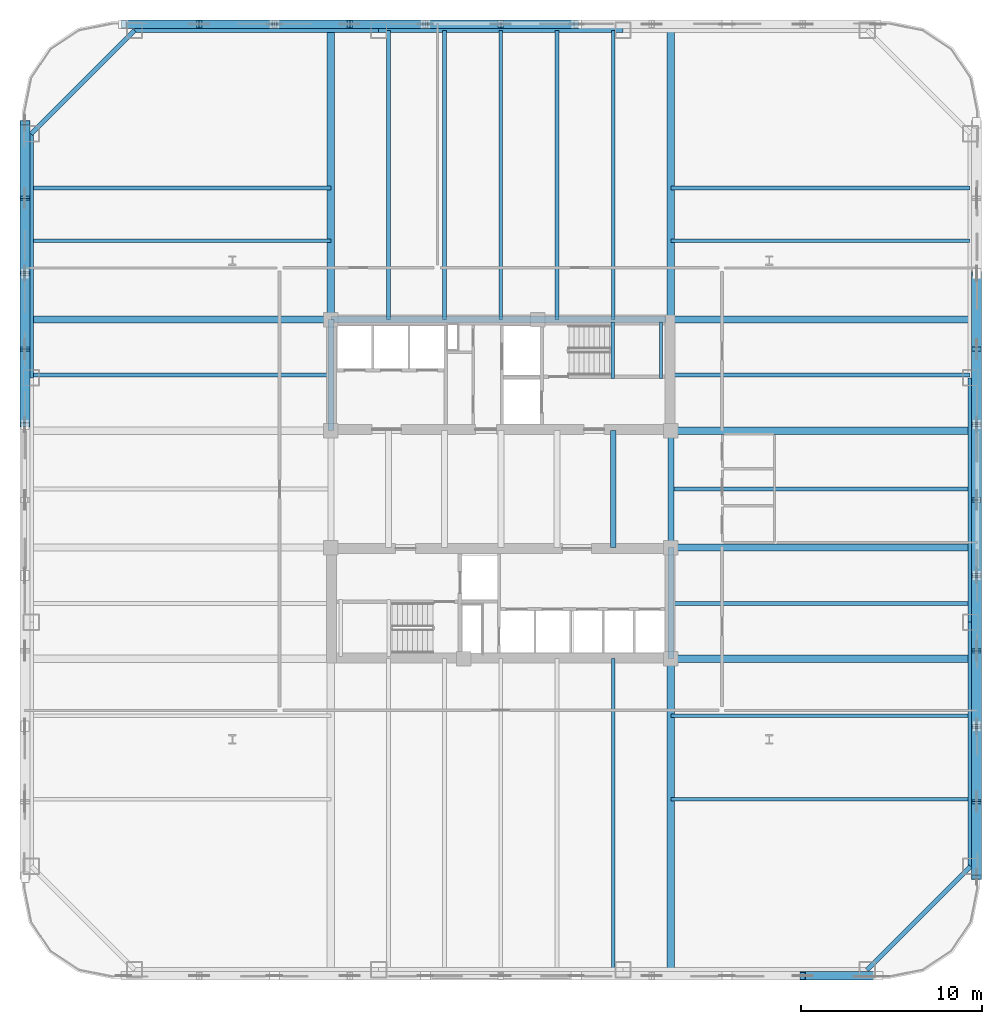
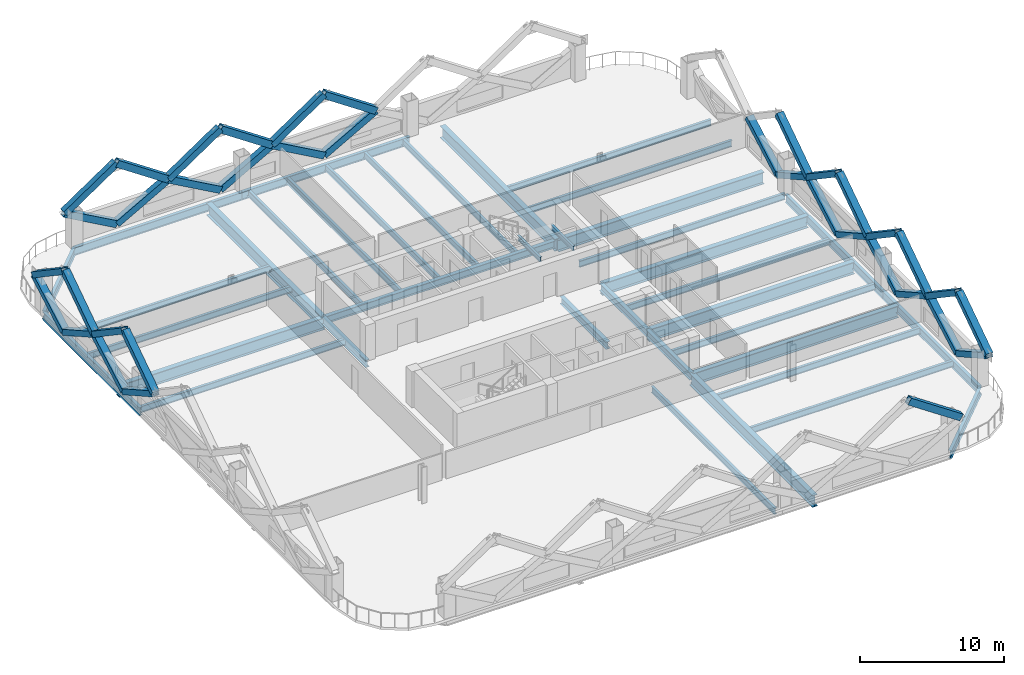
# One storey, part 2 of 13: 38 beams, 36 members.
"""IFC4 building model written with IfcOpenShell, lengths in metres."""

from ifc_helpers import new_model, si_unit, direction, frame, origin, origin_2d, place, context, subcontext, project, spatial, hollow_rectangle, i_section, extrude, material, material_profile, profile_set, type_object, element, save


model = new_model("IFC4")

# Units and contexts
model_context = context("Model", 3, precision=1e-05, world=origin(), true_north=direction((0.0, 1.0)))
body_context = subcontext(model_context, "Body", "Model", "MODEL_VIEW")
ifc_project = project(units=[si_unit("LENGTHUNIT", "METRE"), si_unit("AREAUNIT", "SQUARE_METRE"), si_unit("VOLUMEUNIT", "CUBIC_METRE"), si_unit("PLANEANGLEUNIT", "RADIAN"), si_unit("MASSUNIT", "GRAM", prefix="KILO")], contexts=[model_context])

# Site, building, storey
site_placement = place(None, origin())
site = spatial("IfcSite", under=ifc_project, at=site_placement, CompositionType="ELEMENT")
building_placement = place(site_placement, origin())
building = spatial("IfcBuilding", under=site, at=building_placement, Name="Qhalaya Broadcast Tower", CompositionType="ELEMENT")
storey_placement = place(building_placement, frame((0.0, 0.0, 32.199951171875)))
storey = spatial("IfcBuildingStorey", under=building, at=storey_placement, Name="L08", CompositionType="ELEMENT", Elevation=32.199951171875)

# Beams
ifc_material_1 = material(Name="Structural Steel ASTM A992 Grade 50", Category="steel")
ifc_material_profile_1 = material_profile(ifc_material_1, i_section(OverallWidth=0.2099609375, OverallDepth=0.535888671875, WebThickness=0.010986328125, FlangeThickness=0.017333984375, at=origin_2d()), Name="W21X68")
ifc_profile_set_1 = profile_set([ifc_material_profile_1], Name="Structural Steel ASTM A992 Grade 50")
beam_type_1 = type_object("IfcBeamType", Name="Composite Floor Joist J02", PredefinedType="JOIST", material=ifc_profile_set_1)
for number, where, z_axis, x_axis, name in (
    (1, (-6.199951171875, 9.949951171875, -0.488037109375), (0.0, 1.0, 0.0), (-1.0, 0.0, 0.0), "L08 J02 L08-JNN1-1"),
    (2, (-3.10009765625, 9.949951171875, -0.488037109375), (0.0, 1.0, 0.0), (-1.0, 0.0, 0.0), "L08 J02 L08-JNN2-1"),
    (3, (0.0, 9.949951171875, -0.488037109375), (0.0, 1.0, 0.0), (-1.0, 0.0, 0.0), "L08 J02 L08-JNN3-1"),
    (4, (3.10009765625, 9.949951171875, -0.488037109375), (0.0, 1.0, 0.0), (-1.0, 0.0, 0.0), "L08 J02 L08-JNN4-1"),
):
    element("IfcBeam", number, at=place(storey_placement, frame(where, z_axis=z_axis, x_axis=x_axis)), inside=storey, type_object=beam_type_1, Name=name, PredefinedType="JOIST", context=body_context, shape_type="SweptSolid", body=[
        extrude(i_section(OverallWidth=0.2099609375, OverallDepth=0.535888671875, WebThickness=0.010986328125, FlangeThickness=0.017333984375, at=origin_2d()), origin(), (0.0, 0.0, 1.0), 15.929931640625),
    ])
beam_1_placement = place(storey_placement, frame((6.199951171875, -25.8798828125, -0.488037109375), z_axis=(0.0, 1.0, 0.0), x_axis=(-1.0, 0.0, 0.0)))
element("IfcBeam", 5, at=beam_1_placement, inside=storey, type_object=beam_type_1, Name="L08 J02 L08-JNS5-1", PredefinedType="JOIST", context=body_context, shape_type="SweptSolid", body=[
    extrude(i_section(OverallWidth=0.2099609375, OverallDepth=0.535888671875, WebThickness=0.010986328125, FlangeThickness=0.017333984375, at=origin_2d()), origin(), (0.0, 0.0, 1.0), 17.1298828125),
])
beam_2_placement = place(storey_placement, frame((6.199951171875, 9.949951171875, -0.488037109375), z_axis=(0.0, 1.0, 0.0), x_axis=(-1.0, 0.0, 0.0)))
element("IfcBeam", 6, at=beam_2_placement, inside=storey, type_object=beam_type_1, Name="L08 J02 L08-JNN5-1", PredefinedType="JOIST", context=body_context, shape_type="SweptSolid", body=[
    extrude(i_section(OverallWidth=0.2099609375, OverallDepth=0.535888671875, WebThickness=0.010986328125, FlangeThickness=0.017333984375, at=origin_2d()), origin(), (0.0, 0.0, 1.0), 15.929931640625),
])
for number, where, z_axis, x_axis, name in (
    (7, (9.375, -16.5, -0.488037109375), (1.0, 0.0, 0.0), (0.0, 1.0, 0.0), "L08 J02 L08-JWE1E-1"),
    (8, (9.375, -11.89990234375, -0.488037109375), (1.0, 0.0, 0.0), (0.0, 1.0, 0.0), "L08 J02 L08-JWE2E-1"),
    (9, (9.375, -5.699951171875, -0.488037109375), (1.0, 0.0, 0.0), (0.0, 1.0, 0.0), "L08 J02 L08-JWE3E-1"),
    (10, (9.375, 0.60009765625, -0.488037109375), (1.0, 0.0, 0.0), (0.0, 1.0, 0.0), "L08 J02 L08-JWE4E-1"),
    (11, (-25.8798828125, 6.89990234375, -0.488037109375), (1.0, 0.0, 0.0), (0.0, 1.0, 0.0), "L08 J02 L08-JWE5W-1"),
    (12, (9.375, 6.89990234375, -0.488037109375), (1.0, 0.0, 0.0), (0.0, 1.0, 0.0), "L08 J02 L08-JWE5E-1"),
    (13, (-25.8798828125, 14.300048828125, -0.488037109375), (1.0, 0.0, 0.0), (0.0, 1.0, 0.0), "L08 J02 L08-JWE6W-1"),
    (14, (9.375, 14.300048828125, -0.488037109375), (1.0, 0.0, 0.0), (0.0, 1.0, 0.0), "L08 J02 L08-JWE6E-1"),
    (15, (-25.8798828125, 17.199951171875, -0.488037109375), (1.0, 0.0, 0.0), (0.0, 1.0, 0.0), "L08 J02 L08-JWE7W-1"),
    (16, (9.375, 17.199951171875, -0.488037109375), (1.0, 0.0, 0.0), (0.0, 1.0, 0.0), "L08 J02 L08-JWE7E-1"),
):
    element("IfcBeam", number, at=place(storey_placement, frame(where, z_axis=z_axis, x_axis=x_axis)), inside=storey, type_object=beam_type_1, Name=name, PredefinedType="JOIST", context=body_context, shape_type="SweptSolid", body=[
        extrude(i_section(OverallWidth=0.2099609375, OverallDepth=0.535888671875, WebThickness=0.010986328125, FlangeThickness=0.017333984375, at=origin_2d()), origin(), (0.0, 0.0, 1.0), 16.5048828125),
    ])
ifc_material_profile_2 = material_profile(ifc_material_1, i_section(OverallWidth=0.323974609375, OverallDepth=0.612060546875, WebThickness=0.0126953125, FlangeThickness=0.01904296875, at=origin_2d()), Name="W24X104")
ifc_profile_set_2 = profile_set([ifc_material_profile_2], Name="Structural Steel ASTM A992 Grade 50")
beam_type_2 = type_object("IfcBeamType", Name="Core Frame Tie Beam B04", PredefinedType="BEAM", material=ifc_profile_set_2)
beam_3_placement = place(storey_placement, frame((-9.375, 3.824951171875, -0.52587890625), z_axis=(0.0, 1.0, 0.0), x_axis=(-1.0, 0.0, 0.0)))
element("IfcBeam", 17, at=beam_3_placement, inside=storey, type_object=beam_type_2, Name="L08 B04 L08-CCN2", PredefinedType="BEAM", context=body_context, shape_type="SweptSolid", body=[
    extrude(i_section(OverallWidth=0.323974609375, OverallDepth=0.612060546875, WebThickness=0.0126953125, FlangeThickness=0.01904296875, at=origin_2d()), origin(), (0.0, 0.0, 1.0), 6.125),
])
beam_4_placement = place(storey_placement, frame((-9.375, 9.949951171875, -0.52587890625), z_axis=(1.0, 0.0, 0.0), x_axis=(0.0, 1.0, 0.0)))
element("IfcBeam", 18, at=beam_4_placement, inside=storey, type_object=beam_type_2, Name="L08 B04 L08-CCN3", PredefinedType="BEAM", context=body_context, shape_type="SweptSolid", body=[
    extrude(i_section(OverallWidth=0.323974609375, OverallDepth=0.612060546875, WebThickness=0.0126953125, FlangeThickness=0.01904296875, at=origin_2d()), origin(), (0.0, 0.0, 1.0), 18.4951171875),
])
beam_5_placement = place(storey_placement, frame((9.375, -8.75, -0.52587890625), z_axis=(0.0, 1.0, 0.0), x_axis=(-1.0, 0.0, 0.0)))
element("IfcBeam", 19, at=beam_5_placement, inside=storey, type_object=beam_type_2, Name="L08 B04 L08-CCS2", PredefinedType="BEAM", context=body_context, shape_type="SweptSolid", body=[
    extrude(i_section(OverallWidth=0.323974609375, OverallDepth=0.612060546875, WebThickness=0.0126953125, FlangeThickness=0.01904296875, at=origin_2d()), origin(), (0.0, 0.0, 1.0), 6.125),
])
for number, where, z_axis, x_axis, name in (
    (20, (9.375, -2.625, -0.52587890625), (0.0, 1.0, 0.0), (-1.0, 0.0, 0.0), "L08 B04 L08-CCE"),
    (21, (6.199951171875, -2.625, -0.52587890625), (0.0, 1.0, 0.0), (-1.0, 0.0, 0.0), "L08 B04 L08-JC5-1"),
):
    element("IfcBeam", number, at=place(storey_placement, frame(where, z_axis=z_axis, x_axis=x_axis)), inside=storey, type_object=beam_type_2, Name=name, PredefinedType="BEAM", context=body_context, shape_type="SweptSolid", body=[
        extrude(i_section(OverallWidth=0.323974609375, OverallDepth=0.612060546875, WebThickness=0.0126953125, FlangeThickness=0.01904296875, at=origin_2d()), origin(), (0.0, 0.0, 1.0), 6.449951171875),
    ])

# Members
ifc_material_2 = material(Name="Structural Steel ASTM A572 Grade 50", Category="steel")
ifc_material_profile_3 = material_profile(ifc_material_2, hollow_rectangle(XDim=0.449951171875, YDim=0.550048828125, WallThickness=0.031982421875, at=origin_2d()), Name="BOX 450x550x32")
ifc_profile_set_3 = profile_set([ifc_material_profile_3], Name="Structural Steel ASTM A572 Grade 50")
member_type = type_object("IfcMemberType", Name="Exoskeleton Diamond Diagonal Lower EX1", PredefinedType="BRACE", material=ifc_profile_set_3)
member_1_placement = place(storey_placement, frame((20.800048828125, -26.239990234375, 2.68994140625), z_axis=(-0.828668223168, 0.0, 0.559740096752), x_axis=(0.0, -1.0, 0.0)))
element("IfcMember", 22, at=member_1_placement, inside=storey, type_object=member_type, Name="B1 Exoskeleton Diamond Brace S5-D4", PredefinedType="BRACE", context=body_context, shape_type="SweptSolid", body=[
    extrude(hollow_rectangle(XDim=0.449951171875, YDim=0.550048828125, WallThickness=0.031982421875, at=origin_2d()), origin(), (0.0, 0.0, 1.0), 5.020263671875),
])
member_2_placement = place(storey_placement, frame((26.239990234375, -16.639892578125, 0.360107421875), z_axis=(0.0, -0.872492918738, 0.488626756075), x_axis=(0.0, 0.488626756075, 0.872492918738)))
element("IfcMember", 23, at=member_2_placement, inside=storey, type_object=member_type, Name="B1 Exoskeleton Diamond Brace E1-D1", PredefinedType="BRACE", context=body_context, shape_type="SweptSolid", body=[
    extrude(hollow_rectangle(XDim=0.449951171875, YDim=0.550048828125, WallThickness=0.031982421875, at=origin_2d()), origin(), (0.0, 0.0, 1.0), 4.76806640625),
])
member_3_placement = place(storey_placement, frame((26.239990234375, -16.639892578125, 0.360107421875), z_axis=(0.0, 0.872480692977, 0.488648585778), x_axis=(0.0, -0.488648585778, 0.872480692977)))
element("IfcMember", 24, at=member_3_placement, inside=storey, type_object=member_type, Name="B1 Exoskeleton Diamond Brace E1-D2", PredefinedType="BRACE", context=body_context, shape_type="SweptSolid", body=[
    extrude(hollow_rectangle(XDim=0.449951171875, YDim=0.550048828125, WallThickness=0.031982421875, at=origin_2d()), origin(), (0.0, 0.0, 1.0), 4.767822265625),
])
member_4_placement = place(storey_placement, frame((26.239990234375, -20.800048828125, 2.68994140625), z_axis=(0.0, 0.828668223168, 0.559740096752), x_axis=(0.0, -0.559740096752, 0.828668223168)))
element("IfcMember", 25, at=member_4_placement, inside=storey, type_object=member_type, Name="B1 Exoskeleton Diamond Brace E1-D3", PredefinedType="BRACE", context=body_context, shape_type="SweptSolid", body=[
    extrude(hollow_rectangle(XDim=0.449951171875, YDim=0.550048828125, WallThickness=0.031982421875, at=origin_2d()), origin(), (0.0, 0.0, 1.0), 5.020263671875),
])
member_5_placement = place(storey_placement, frame((26.239990234375, -12.47998046875, 2.68994140625), z_axis=(0.0, -0.828652985792, 0.559762654291), x_axis=(0.0, 0.559762654291, 0.828652985792)))
element("IfcMember", 26, at=member_5_placement, inside=storey, type_object=member_type, Name="B1 Exoskeleton Diamond Brace E1-D4", PredefinedType="BRACE", context=body_context, shape_type="SweptSolid", body=[
    extrude(hollow_rectangle(XDim=0.449951171875, YDim=0.550048828125, WallThickness=0.031982421875, at=origin_2d()), origin(), (0.0, 0.0, 1.0), 5.02001953125),
])
member_6_placement = place(storey_placement, frame((26.239990234375, -8.320068359375, 0.360107421875), z_axis=(0.0, -0.872480692977, 0.488648585778), x_axis=(0.0, 0.488648585778, 0.872480692977)))
element("IfcMember", 27, at=member_6_placement, inside=storey, type_object=member_type, Name="B1 Exoskeleton Diamond Brace E2-D1", PredefinedType="BRACE", context=body_context, shape_type="SweptSolid", body=[
    extrude(hollow_rectangle(XDim=0.449951171875, YDim=0.550048828125, WallThickness=0.031982421875, at=origin_2d()), origin(), (0.0, 0.0, 1.0), 4.767822265625),
])
member_7_placement = place(storey_placement, frame((26.239990234375, -8.320068359375, 0.360107421875), z_axis=(0.0, 0.872492918738, 0.488626756075), x_axis=(0.0, -0.488626756075, 0.872492918738)))
element("IfcMember", 28, at=member_7_placement, inside=storey, type_object=member_type, Name="B1 Exoskeleton Diamond Brace E2-D2", PredefinedType="BRACE", context=body_context, shape_type="SweptSolid", body=[
    extrude(hollow_rectangle(XDim=0.449951171875, YDim=0.550048828125, WallThickness=0.031982421875, at=origin_2d()), origin(), (0.0, 0.0, 1.0), 4.76806640625),
])
member_8_placement = place(storey_placement, frame((26.239990234375, -12.47998046875, 2.68994140625), z_axis=(0.0, 0.828652985792, 0.559762654291), x_axis=(0.0, -0.559762654291, 0.828652985792)))
element("IfcMember", 29, at=member_8_placement, inside=storey, type_object=member_type, Name="B1 Exoskeleton Diamond Brace E2-D3", PredefinedType="BRACE", context=body_context, shape_type="SweptSolid", body=[
    extrude(hollow_rectangle(XDim=0.449951171875, YDim=0.550048828125, WallThickness=0.031982421875, at=origin_2d()), origin(), (0.0, 0.0, 1.0), 5.02001953125),
])
member_9_placement = place(storey_placement, frame((26.239990234375, -4.159912109375, 2.68994140625), z_axis=(0.0, -0.828668223168, 0.559740096752), x_axis=(0.0, 0.559740096752, 0.828668223168)))
element("IfcMember", 30, at=member_9_placement, inside=storey, type_object=member_type, Name="B1 Exoskeleton Diamond Brace E2-D4", PredefinedType="BRACE", context=body_context, shape_type="SweptSolid", body=[
    extrude(hollow_rectangle(XDim=0.449951171875, YDim=0.550048828125, WallThickness=0.031982421875, at=origin_2d()), origin(), (0.0, 0.0, 1.0), 5.020263671875),
])
for number, where, z_axis, x_axis, name in (
    (31, (26.239990234375, 0.0, 0.360107421875), (0.0, -0.872480692977, 0.488648585778), (0.0, 0.488648585778, 0.872480692977), "B1 Exoskeleton Diamond Brace E3-D1"),
    (32, (26.239990234375, 0.0, 0.360107421875), (0.0, 0.872480692977, 0.488648585778), (0.0, -0.488648585778, 0.872480692977), "B1 Exoskeleton Diamond Brace E3-D2"),
):
    element("IfcMember", number, at=place(storey_placement, frame(where, z_axis=z_axis, x_axis=x_axis)), inside=storey, type_object=member_type, Name=name, PredefinedType="BRACE", context=body_context, shape_type="SweptSolid", body=[
        extrude(hollow_rectangle(XDim=0.449951171875, YDim=0.550048828125, WallThickness=0.031982421875, at=origin_2d()), origin(), (0.0, 0.0, 1.0), 4.767822265625),
    ])
for number, where, z_axis, x_axis, name in (
    (33, (26.239990234375, -4.159912109375, 2.68994140625), (0.0, 0.828652985792, 0.559762654291), (0.0, -0.559762654291, 0.828652985792), "B1 Exoskeleton Diamond Brace E3-D3"),
    (34, (26.239990234375, 4.159912109375, 2.68994140625), (0.0, -0.828652985792, 0.559762654291), (0.0, 0.559762654291, 0.828652985792), "B1 Exoskeleton Diamond Brace E3-D4"),
):
    element("IfcMember", number, at=place(storey_placement, frame(where, z_axis=z_axis, x_axis=x_axis)), inside=storey, type_object=member_type, Name=name, PredefinedType="BRACE", context=body_context, shape_type="SweptSolid", body=[
        extrude(hollow_rectangle(XDim=0.449951171875, YDim=0.550048828125, WallThickness=0.031982421875, at=origin_2d()), origin(), (0.0, 0.0, 1.0), 5.02001953125),
    ])
member_10_placement = place(storey_placement, frame((26.239990234375, 8.320068359375, 0.360107421875), z_axis=(0.0, -0.872492918738, 0.488626756075), x_axis=(0.0, 0.488626756075, 0.872492918738)))
element("IfcMember", 35, at=member_10_placement, inside=storey, type_object=member_type, Name="B1 Exoskeleton Diamond Brace E4-D1", PredefinedType="BRACE", context=body_context, shape_type="SweptSolid", body=[
    extrude(hollow_rectangle(XDim=0.449951171875, YDim=0.550048828125, WallThickness=0.031982421875, at=origin_2d()), origin(), (0.0, 0.0, 1.0), 4.76806640625),
])
member_11_placement = place(storey_placement, frame((26.239990234375, 8.320068359375, 0.360107421875), z_axis=(0.0, 0.872480692977, 0.488648585778), x_axis=(0.0, -0.488648585778, 0.872480692977)))
element("IfcMember", 36, at=member_11_placement, inside=storey, type_object=member_type, Name="B1 Exoskeleton Diamond Brace E4-D2", PredefinedType="BRACE", context=body_context, shape_type="SweptSolid", body=[
    extrude(hollow_rectangle(XDim=0.449951171875, YDim=0.550048828125, WallThickness=0.031982421875, at=origin_2d()), origin(), (0.0, 0.0, 1.0), 4.767822265625),
])
member_12_placement = place(storey_placement, frame((26.239990234375, 4.159912109375, 2.68994140625), z_axis=(0.0, 0.828668223168, 0.559740096752), x_axis=(0.0, -0.559740096752, 0.828668223168)))
element("IfcMember", 37, at=member_12_placement, inside=storey, type_object=member_type, Name="B1 Exoskeleton Diamond Brace E4-D3", PredefinedType="BRACE", context=body_context, shape_type="SweptSolid", body=[
    extrude(hollow_rectangle(XDim=0.449951171875, YDim=0.550048828125, WallThickness=0.031982421875, at=origin_2d()), origin(), (0.0, 0.0, 1.0), 5.020263671875),
])
for number, where, z_axis, x_axis, name in (
    (38, (0.0, 26.239990234375, 0.360107421875), (0.872480692977, 0.0, 0.488648585778), (0.0, 1.0, 0.0), "B1 Exoskeleton Diamond Brace N3-D1"),
    (39, (0.0, 26.239990234375, 0.360107421875), (-0.872480692977, 0.0, 0.488648585778), (0.0, -1.0, 0.0), "B1 Exoskeleton Diamond Brace N3-D2"),
):
    element("IfcMember", number, at=place(storey_placement, frame(where, z_axis=z_axis, x_axis=x_axis)), inside=storey, type_object=member_type, Name=name, PredefinedType="BRACE", context=body_context, shape_type="SweptSolid", body=[
        extrude(hollow_rectangle(XDim=0.449951171875, YDim=0.550048828125, WallThickness=0.031982421875, at=origin_2d()), origin(), (0.0, 0.0, 1.0), 4.767822265625),
    ])
for number, where, z_axis, x_axis, name in (
    (40, (4.159912109375, 26.239990234375, 2.68994140625), (-0.828652985792, 0.0, 0.559762654291), (0.0, -1.0, 0.0), "B1 Exoskeleton Diamond Brace N3-D3"),
    (41, (-4.159912109375, 26.239990234375, 2.68994140625), (0.828652985792, 0.0, 0.559762654291), (0.0, 1.0, 0.0), "B1 Exoskeleton Diamond Brace N3-D4"),
):
    element("IfcMember", number, at=place(storey_placement, frame(where, z_axis=z_axis, x_axis=x_axis)), inside=storey, type_object=member_type, Name=name, PredefinedType="BRACE", context=body_context, shape_type="SweptSolid", body=[
        extrude(hollow_rectangle(XDim=0.449951171875, YDim=0.550048828125, WallThickness=0.031982421875, at=origin_2d()), origin(), (0.0, 0.0, 1.0), 5.02001953125),
    ])
member_13_placement = place(storey_placement, frame((-8.320068359375, 26.239990234375, 0.360107421875), z_axis=(0.872492918738, 0.0, 0.488626756075), x_axis=(0.0, 1.0, 0.0)))
element("IfcMember", 42, at=member_13_placement, inside=storey, type_object=member_type, Name="B1 Exoskeleton Diamond Brace N4-D1", PredefinedType="BRACE", context=body_context, shape_type="SweptSolid", body=[
    extrude(hollow_rectangle(XDim=0.449951171875, YDim=0.550048828125, WallThickness=0.031982421875, at=origin_2d()), origin(), (0.0, 0.0, 1.0), 4.76806640625),
])
member_14_placement = place(storey_placement, frame((-8.320068359375, 26.239990234375, 0.360107421875), z_axis=(-0.872480692977, 0.0, 0.488648585778), x_axis=(0.0, -1.0, 0.0)))
element("IfcMember", 43, at=member_14_placement, inside=storey, type_object=member_type, Name="B1 Exoskeleton Diamond Brace N4-D2", PredefinedType="BRACE", context=body_context, shape_type="SweptSolid", body=[
    extrude(hollow_rectangle(XDim=0.449951171875, YDim=0.550048828125, WallThickness=0.031982421875, at=origin_2d()), origin(), (0.0, 0.0, 1.0), 4.767822265625),
])
member_15_placement = place(storey_placement, frame((-4.159912109375, 26.239990234375, 2.68994140625), z_axis=(-0.828668223168, 0.0, 0.559740096752), x_axis=(0.0, -1.0, 0.0)))
element("IfcMember", 44, at=member_15_placement, inside=storey, type_object=member_type, Name="B1 Exoskeleton Diamond Brace N4-D3", PredefinedType="BRACE", context=body_context, shape_type="SweptSolid", body=[
    extrude(hollow_rectangle(XDim=0.449951171875, YDim=0.550048828125, WallThickness=0.031982421875, at=origin_2d()), origin(), (0.0, 0.0, 1.0), 5.020263671875),
])
member_16_placement = place(storey_placement, frame((-12.47998046875, 26.239990234375, 2.68994140625), z_axis=(0.828652985792, 0.0, 0.559762654291), x_axis=(0.0, 1.0, 0.0)))
element("IfcMember", 45, at=member_16_placement, inside=storey, type_object=member_type, Name="B1 Exoskeleton Diamond Brace N4-D4", PredefinedType="BRACE", context=body_context, shape_type="SweptSolid", body=[
    extrude(hollow_rectangle(XDim=0.449951171875, YDim=0.550048828125, WallThickness=0.031982421875, at=origin_2d()), origin(), (0.0, 0.0, 1.0), 5.02001953125),
])
member_17_placement = place(storey_placement, frame((-16.639892578125, 26.239990234375, 0.360107421875), z_axis=(0.872480692977, 0.0, 0.488648585778), x_axis=(0.0, 1.0, 0.0)))
element("IfcMember", 46, at=member_17_placement, inside=storey, type_object=member_type, Name="B1 Exoskeleton Diamond Brace N5-D1", PredefinedType="BRACE", context=body_context, shape_type="SweptSolid", body=[
    extrude(hollow_rectangle(XDim=0.449951171875, YDim=0.550048828125, WallThickness=0.031982421875, at=origin_2d()), origin(), (0.0, 0.0, 1.0), 4.767822265625),
])
member_18_placement = place(storey_placement, frame((-16.639892578125, 26.239990234375, 0.360107421875), z_axis=(-0.872492918738, 0.0, 0.488626756075), x_axis=(0.0, -1.0, 0.0)))
element("IfcMember", 47, at=member_18_placement, inside=storey, type_object=member_type, Name="B1 Exoskeleton Diamond Brace N5-D2", PredefinedType="BRACE", context=body_context, shape_type="SweptSolid", body=[
    extrude(hollow_rectangle(XDim=0.449951171875, YDim=0.550048828125, WallThickness=0.031982421875, at=origin_2d()), origin(), (0.0, 0.0, 1.0), 4.76806640625),
])
member_19_placement = place(storey_placement, frame((-12.47998046875, 26.239990234375, 2.68994140625), z_axis=(-0.828652985792, 0.0, 0.559762654291), x_axis=(0.0, -1.0, 0.0)))
element("IfcMember", 48, at=member_19_placement, inside=storey, type_object=member_type, Name="B1 Exoskeleton Diamond Brace N5-D3", PredefinedType="BRACE", context=body_context, shape_type="SweptSolid", body=[
    extrude(hollow_rectangle(XDim=0.449951171875, YDim=0.550048828125, WallThickness=0.031982421875, at=origin_2d()), origin(), (0.0, 0.0, 1.0), 5.02001953125),
])
member_20_placement = place(storey_placement, frame((-20.800048828125, 26.239990234375, 2.68994140625), z_axis=(0.828668223168, 0.0, 0.559740096752), x_axis=(0.0, 1.0, 0.0)))
element("IfcMember", 49, at=member_20_placement, inside=storey, type_object=member_type, Name="B1 Exoskeleton Diamond Brace N5-D4", PredefinedType="BRACE", context=body_context, shape_type="SweptSolid", body=[
    extrude(hollow_rectangle(XDim=0.449951171875, YDim=0.550048828125, WallThickness=0.031982421875, at=origin_2d()), origin(), (0.0, 0.0, 1.0), 5.020263671875),
])
member_21_placement = place(storey_placement, frame((-26.239990234375, 16.639892578125, 0.360107421875), z_axis=(0.0, 0.872492918738, 0.488626756075), x_axis=(0.0, -0.488626756075, 0.872492918738)))
element("IfcMember", 50, at=member_21_placement, inside=storey, type_object=member_type, Name="B1 Exoskeleton Diamond Brace W1-D1", PredefinedType="BRACE", context=body_context, shape_type="SweptSolid", body=[
    extrude(hollow_rectangle(XDim=0.449951171875, YDim=0.550048828125, WallThickness=0.031982421875, at=origin_2d()), origin(), (0.0, 0.0, 1.0), 4.76806640625),
])
member_22_placement = place(storey_placement, frame((-26.239990234375, 16.639892578125, 0.360107421875), z_axis=(0.0, -0.872480692977, 0.488648585778), x_axis=(0.0, 0.488648585778, 0.872480692977)))
element("IfcMember", 51, at=member_22_placement, inside=storey, type_object=member_type, Name="B1 Exoskeleton Diamond Brace W1-D2", PredefinedType="BRACE", context=body_context, shape_type="SweptSolid", body=[
    extrude(hollow_rectangle(XDim=0.449951171875, YDim=0.550048828125, WallThickness=0.031982421875, at=origin_2d()), origin(), (0.0, 0.0, 1.0), 4.767822265625),
])
member_23_placement = place(storey_placement, frame((-26.239990234375, 20.800048828125, 2.68994140625), z_axis=(0.0, -0.828668223168, 0.559740096752), x_axis=(0.0, 0.559740096752, 0.828668223168)))
element("IfcMember", 52, at=member_23_placement, inside=storey, type_object=member_type, Name="B1 Exoskeleton Diamond Brace W1-D3", PredefinedType="BRACE", context=body_context, shape_type="SweptSolid", body=[
    extrude(hollow_rectangle(XDim=0.449951171875, YDim=0.550048828125, WallThickness=0.031982421875, at=origin_2d()), origin(), (0.0, 0.0, 1.0), 5.020263671875),
])
member_24_placement = place(storey_placement, frame((-26.239990234375, 12.47998046875, 2.68994140625), z_axis=(0.0, 0.828652985792, 0.559762654291), x_axis=(0.0, -0.559762654291, 0.828652985792)))
element("IfcMember", 53, at=member_24_placement, inside=storey, type_object=member_type, Name="B1 Exoskeleton Diamond Brace W1-D4", PredefinedType="BRACE", context=body_context, shape_type="SweptSolid", body=[
    extrude(hollow_rectangle(XDim=0.449951171875, YDim=0.550048828125, WallThickness=0.031982421875, at=origin_2d()), origin(), (0.0, 0.0, 1.0), 5.02001953125),
])
member_25_placement = place(storey_placement, frame((-26.239990234375, 8.320068359375, 0.360107421875), z_axis=(0.0, 0.872480692977, 0.488648585778), x_axis=(0.0, -0.488648585778, 0.872480692977)))
element("IfcMember", 54, at=member_25_placement, inside=storey, type_object=member_type, Name="B1 Exoskeleton Diamond Brace W2-D1", PredefinedType="BRACE", context=body_context, shape_type="SweptSolid", body=[
    extrude(hollow_rectangle(XDim=0.449951171875, YDim=0.550048828125, WallThickness=0.031982421875, at=origin_2d()), origin(), (0.0, 0.0, 1.0), 4.767822265625),
])
member_26_placement = place(storey_placement, frame((-26.239990234375, 8.320068359375, 0.360107421875), z_axis=(0.0, -0.872492918738, 0.488626756075), x_axis=(0.0, 0.488626756075, 0.872492918738)))
element("IfcMember", 55, at=member_26_placement, inside=storey, type_object=member_type, Name="B1 Exoskeleton Diamond Brace W2-D2", PredefinedType="BRACE", context=body_context, shape_type="SweptSolid", body=[
    extrude(hollow_rectangle(XDim=0.449951171875, YDim=0.550048828125, WallThickness=0.031982421875, at=origin_2d()), origin(), (0.0, 0.0, 1.0), 4.76806640625),
])
member_27_placement = place(storey_placement, frame((-26.239990234375, 12.47998046875, 2.68994140625), z_axis=(0.0, -0.828652985792, 0.559762654291), x_axis=(0.0, 0.559762654291, 0.828652985792)))
element("IfcMember", 56, at=member_27_placement, inside=storey, type_object=member_type, Name="B1 Exoskeleton Diamond Brace W2-D3", PredefinedType="BRACE", context=body_context, shape_type="SweptSolid", body=[
    extrude(hollow_rectangle(XDim=0.449951171875, YDim=0.550048828125, WallThickness=0.031982421875, at=origin_2d()), origin(), (0.0, 0.0, 1.0), 5.02001953125),
])
member_28_placement = place(storey_placement, frame((-26.239990234375, 4.159912109375, 2.68994140625), z_axis=(0.0, 0.828668223168, 0.559740096752), x_axis=(0.0, -0.559740096752, 0.828668223168)))
element("IfcMember", 57, at=member_28_placement, inside=storey, type_object=member_type, Name="B1 Exoskeleton Diamond Brace W2-D4", PredefinedType="BRACE", context=body_context, shape_type="SweptSolid", body=[
    extrude(hollow_rectangle(XDim=0.449951171875, YDim=0.550048828125, WallThickness=0.031982421875, at=origin_2d()), origin(), (0.0, 0.0, 1.0), 5.020263671875),
])

# Beams
ifc_material_profile_4 = material_profile(ifc_material_1, i_section(OverallWidth=0.40087890625, OverallDepth=1.010986328125, WebThickness=0.023681640625, FlangeThickness=0.0419921875, at=origin_2d()), Name="W40X297")
ifc_profile_set_4 = profile_set([ifc_material_profile_4], Name="Structural Steel ASTM A992 Grade 50")
beam_type_3 = type_object("IfcBeamType", Name="Lower Block Primary Girder PG2", PredefinedType="USERDEFINED", material=ifc_profile_set_4)
beam_6_placement = place(storey_placement, frame((-9.375, 9.949951171875, -0.725341796875), z_axis=(0.0, 1.0, 0.0), x_axis=(-1.0, 0.0, 0.0)))
element("IfcBeam", 58, at=beam_6_placement, inside=storey, type_object=beam_type_3, Name="L08 PG2 L08-PGXN1-1", ObjectType="GIRDER", PredefinedType="USERDEFINED", context=body_context, shape_type="SweptSolid", body=[
    extrude(i_section(OverallWidth=0.40087890625, OverallDepth=1.010986328125, WebThickness=0.023681640625, FlangeThickness=0.0419921875, at=origin_2d()), origin(), (0.0, 0.0, 1.0), 15.929931640625),
])
beam_7_placement = place(storey_placement, frame((9.375, -25.8798828125, -0.725341796875), z_axis=(0.0, 1.0, 0.0), x_axis=(-1.0, 0.0, 0.0)))
element("IfcBeam", 59, at=beam_7_placement, inside=storey, type_object=beam_type_3, Name="L08 PG2 L08-PGXS2-1", ObjectType="GIRDER", PredefinedType="USERDEFINED", context=body_context, shape_type="SweptSolid", body=[
    extrude(i_section(OverallWidth=0.40087890625, OverallDepth=1.010986328125, WebThickness=0.023681640625, FlangeThickness=0.0419921875, at=origin_2d()), origin(), (0.0, 0.0, 1.0), 17.1298828125),
])
beam_8_placement = place(storey_placement, frame((9.375, 9.949951171875, -0.725341796875), z_axis=(0.0, 1.0, 0.0), x_axis=(-1.0, 0.0, 0.0)))
element("IfcBeam", 60, at=beam_8_placement, inside=storey, type_object=beam_type_3, Name="L08 PG2 L08-PGXN2-1", ObjectType="GIRDER", PredefinedType="USERDEFINED", context=body_context, shape_type="SweptSolid", body=[
    extrude(i_section(OverallWidth=0.40087890625, OverallDepth=1.010986328125, WebThickness=0.023681640625, FlangeThickness=0.0419921875, at=origin_2d()), origin(), (0.0, 0.0, 1.0), 15.929931640625),
])
for number, where, z_axis, x_axis, name in (
    (61, (9.375, -8.75, -0.725341796875), (1.0, 0.0, 0.0), (0.0, 1.0, 0.0), "L08 PG2 L08-PGYE1-1"),
    (62, (9.375, -2.625, -0.725341796875), (1.0, 0.0, 0.0), (0.0, 1.0, 0.0), "L08 PG2 L08-PGYE2-1"),
    (63, (9.375, 3.824951171875, -0.725341796875), (1.0, 0.0, 0.0), (0.0, 1.0, 0.0), "L08 PG2 L08-PGYE3-1"),
    (64, (-25.8798828125, 9.949951171875, -0.725341796875), (1.0, 0.0, 0.0), (0.0, 1.0, 0.0), "L08 PG2 L08-PGYW4-1"),
    (65, (9.375, 9.949951171875, -0.725341796875), (1.0, 0.0, 0.0), (0.0, 1.0, 0.0), "L08 PG2 L08-PGYE4-1"),
):
    element("IfcBeam", number, at=place(storey_placement, frame(where, z_axis=z_axis, x_axis=x_axis)), inside=storey, type_object=beam_type_3, Name=name, ObjectType="GIRDER", PredefinedType="USERDEFINED", context=body_context, shape_type="SweptSolid", body=[
        extrude(i_section(OverallWidth=0.40087890625, OverallDepth=1.010986328125, WebThickness=0.023681640625, FlangeThickness=0.0419921875, at=origin_2d()), origin(), (0.0, 0.0, 1.0), 16.5048828125),
    ])
ifc_material_profile_5 = material_profile(ifc_material_1, i_section(OverallWidth=0.25390625, OverallDepth=0.68310546875, WebThickness=0.012451171875, FlangeThickness=0.01904296875, at=origin_2d()), Name="W27X94")
ifc_profile_set_5 = profile_set([ifc_material_profile_5], Name="Structural Steel ASTM A992 Grade 50")
beam_type_4 = type_object("IfcBeamType", Name="Perimeter Ring Spandrel Beam SP1", PredefinedType="SPANDREL", material=ifc_profile_set_5)
beam_9_placement = place(storey_placement, frame((20.199951171875, -25.89990234375, -0.5615234375), z_axis=(0.707106781187, 0.707106781187, 0.0), x_axis=(-0.707106781187, 0.707106781187, 0.0)))
element("IfcBeam", 66, at=beam_9_placement, inside=storey, type_object=beam_type_4, Name="L08 SP1 L08-SPR-04", PredefinedType="SPANDREL", context=body_context, shape_type="SweptSolid", body=[
    extrude(i_section(OverallWidth=0.25390625, OverallDepth=0.68310546875, WebThickness=0.012451171875, FlangeThickness=0.01904296875, at=origin_2d()), origin(), (0.0, 0.0, 1.0), 8.06103515625),
])
beam_10_placement = place(storey_placement, frame((25.89990234375, -20.199951171875, -0.5615234375), z_axis=(0.0, 1.0, 0.0), x_axis=(-1.0, 0.0, 0.0)))
element("IfcBeam", 67, at=beam_10_placement, inside=storey, type_object=beam_type_4, Name="L08 SP1 L08-SPR-05", PredefinedType="SPANDREL", context=body_context, shape_type="SweptSolid", body=[
    extrude(i_section(OverallWidth=0.25390625, OverallDepth=0.68310546875, WebThickness=0.012451171875, FlangeThickness=0.01904296875, at=origin_2d()), origin(), (0.0, 0.0, 1.0), 13.466552734375),
])
for number, where, z_axis, x_axis, name in (
    (68, (25.89990234375, -6.7333984375, -0.5615234375), (0.0, 1.0, 0.0), (-1.0, 0.0, 0.0), "L08 SP1 L08-SPR-06"),
    (69, (6.7333984375, 25.89990234375, -0.5615234375), (-1.0, 0.0, 0.0), (0.0, -1.0, 0.0), "L08 SP1 L08-SPR-10"),
):
    element("IfcBeam", number, at=place(storey_placement, frame(where, z_axis=z_axis, x_axis=x_axis)), inside=storey, type_object=beam_type_4, Name=name, PredefinedType="SPANDREL", context=body_context, shape_type="SweptSolid", body=[
        extrude(i_section(OverallWidth=0.25390625, OverallDepth=0.68310546875, WebThickness=0.012451171875, FlangeThickness=0.01904296875, at=origin_2d()), origin(), (0.0, 0.0, 1.0), 13.466796875),
    ])
beam_11_placement = place(storey_placement, frame((-6.7333984375, 25.89990234375, -0.5615234375), z_axis=(-1.0, 0.0, 0.0), x_axis=(0.0, -1.0, 0.0)))
element("IfcBeam", 70, at=beam_11_placement, inside=storey, type_object=beam_type_4, Name="L08 SP1 L08-SPR-11", PredefinedType="SPANDREL", context=body_context, shape_type="SweptSolid", body=[
    extrude(i_section(OverallWidth=0.25390625, OverallDepth=0.68310546875, WebThickness=0.012451171875, FlangeThickness=0.01904296875, at=origin_2d()), origin(), (0.0, 0.0, 1.0), 13.466552734375),
])
beam_12_placement = place(storey_placement, frame((-20.199951171875, 25.89990234375, -0.5615234375), z_axis=(-0.707106781187, -0.707106781187, 0.0), x_axis=(0.707106781187, -0.707106781187, 0.0)))
element("IfcBeam", 71, at=beam_12_placement, inside=storey, type_object=beam_type_4, Name="L08 SP1 L08-SPR-12", PredefinedType="SPANDREL", context=body_context, shape_type="SweptSolid", body=[
    extrude(i_section(OverallWidth=0.25390625, OverallDepth=0.68310546875, WebThickness=0.012451171875, FlangeThickness=0.01904296875, at=origin_2d()), origin(), (0.0, 0.0, 1.0), 8.06103515625),
])
beam_13_placement = place(storey_placement, frame((-25.89990234375, 20.199951171875, -0.5615234375), z_axis=(0.0, -1.0, 0.0), x_axis=(1.0, 0.0, 0.0)))
element("IfcBeam", 72, at=beam_13_placement, inside=storey, type_object=beam_type_4, Name="L08 SP1 L08-SPR-13", PredefinedType="SPANDREL", context=body_context, shape_type="SweptSolid", body=[
    extrude(i_section(OverallWidth=0.25390625, OverallDepth=0.68310546875, WebThickness=0.012451171875, FlangeThickness=0.01904296875, at=origin_2d()), origin(), (0.0, 0.0, 1.0), 13.466552734375),
])
ifc_material_profile_6 = material_profile(ifc_material_1, i_section(OverallWidth=0.177978515625, OverallDepth=0.406005859375, WebThickness=0.0078125, FlangeThickness=0.0126953125, at=origin_2d()), Name="W16X40")
ifc_profile_set_6 = profile_set([ifc_material_profile_6], Name="Structural Steel ASTM A992 Grade 50")
beam_type_5 = type_object("IfcBeamType", Name="Upper Perimeter Spandrel Beam SP2", PredefinedType="SPANDREL", material=ifc_profile_set_6)
for number, where, z_axis, x_axis, name in (
    (73, (6.175048828125, 6.699951171875, 1.1220703125), (0.0, 1.0, 0.0), (-1.0, 0.0, 0.0), "L08 ST-1 Half-Landing Bearer Beam 1"),
    (74, (8.830078125, 6.699951171875, 1.1220703125), (0.0, 1.0, 0.0), (-1.0, 0.0, 0.0), "L08 ST-1 Half-Landing Bearer Beam 2"),
):
    element("IfcBeam", number, at=place(storey_placement, frame(where, z_axis=z_axis, x_axis=x_axis)), inside=storey, type_object=beam_type_5, Name=name, PredefinedType="SPANDREL", context=body_context, shape_type="SweptSolid", body=[
        extrude(i_section(OverallWidth=0.177978515625, OverallDepth=0.406005859375, WebThickness=0.0078125, FlangeThickness=0.0126953125, at=origin_2d()), origin(), (0.0, 0.0, 1.0), 3.1201171875),
    ])

save(model, "model.ifc")
